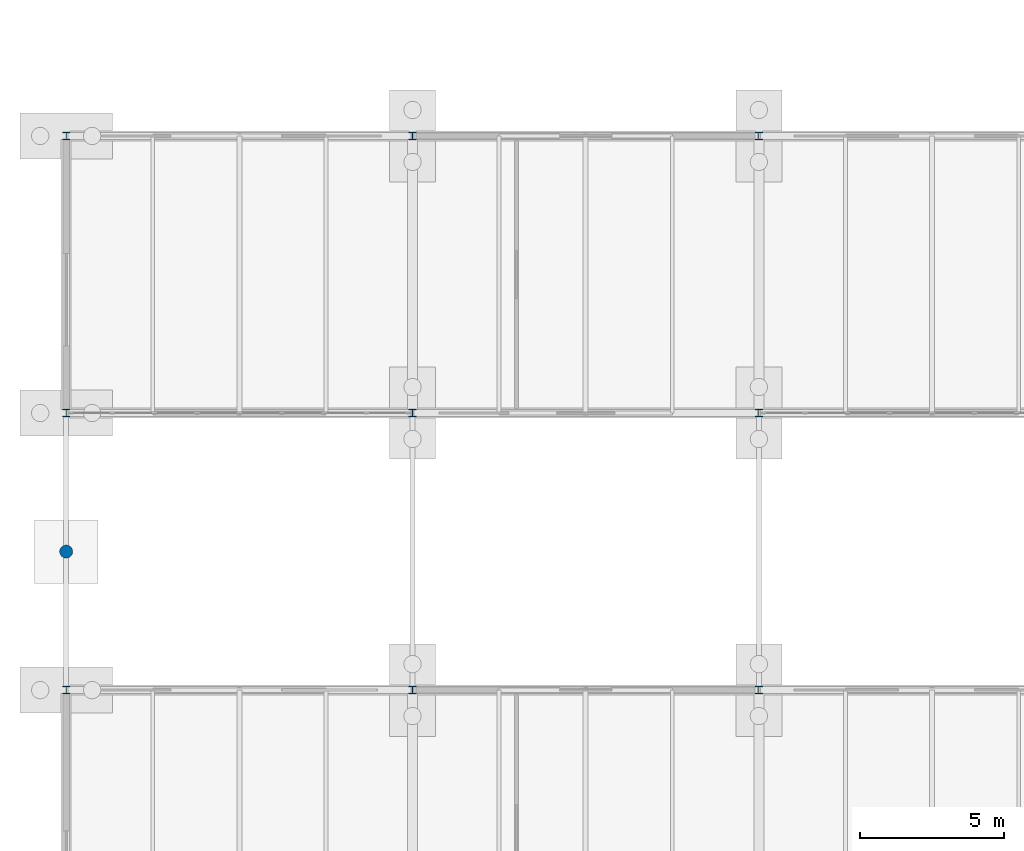
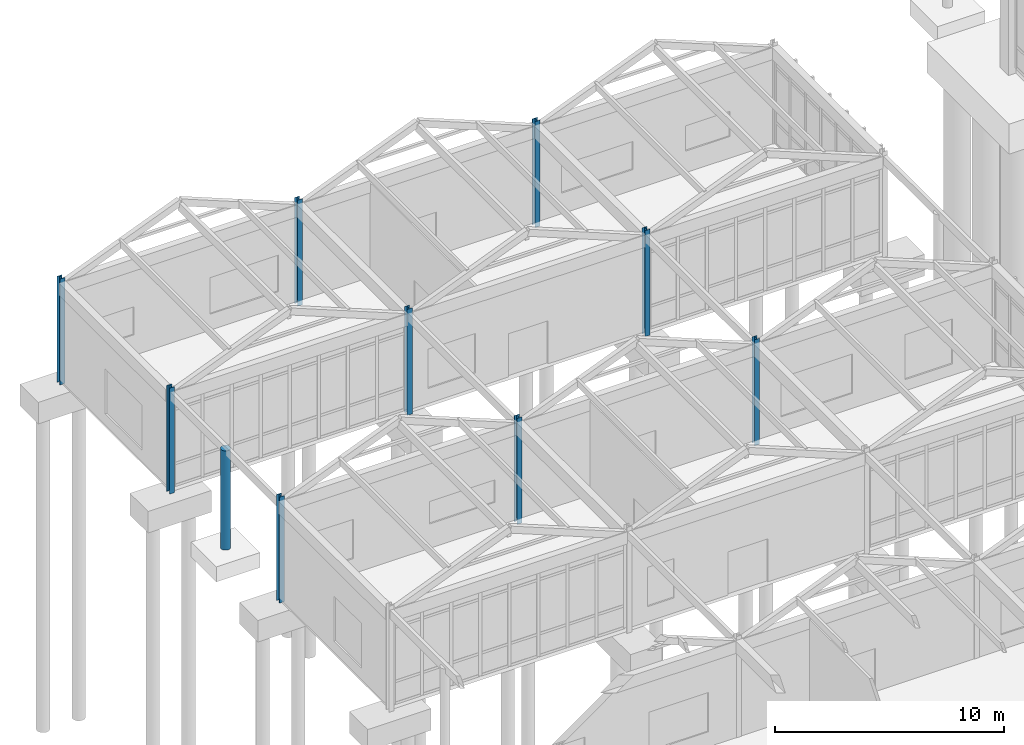
# One storey, part 11 of 188: 10 columns.
"""IFC4 building model written with IfcOpenShell, lengths in metres."""

from ifc_helpers import new_model, si_unit, direction, frame, origin, origin_2d, place, context, subcontext, project, spatial, circle, i_section, extrude, material, material_profile, profile_set, type_object, element, save


model = new_model("IFC4")

# Units and contexts
model_context = context("Model", 3, precision=1e-05, world=origin(), true_north=direction((0.0, 1.0)))
body_context = subcontext(model_context, "Body", "Model", "MODEL_VIEW")
ifc_project = project(units=[si_unit("LENGTHUNIT", "METRE"), si_unit("AREAUNIT", "SQUARE_METRE"), si_unit("VOLUMEUNIT", "CUBIC_METRE"), si_unit("PLANEANGLEUNIT", "RADIAN"), si_unit("MASSUNIT", "GRAM", prefix="KILO")], contexts=[model_context])

# Site, building, storey
site_placement = place(None, origin())
site = spatial("IfcSite", under=ifc_project, at=site_placement, CompositionType="ELEMENT")
building_placement = place(site_placement, origin())
building = spatial("IfcBuilding", under=site, at=building_placement, Name="Pandanus Reach Market Hall", CompositionType="ELEMENT")
storey_placement = place(building_placement, origin())
storey = spatial("IfcBuildingStorey", under=building, at=storey_placement, Name="L00", CompositionType="ELEMENT", Elevation=0.0)

# Columns
ifc_material_1 = material(Name="Steel Grade 350 (350 MPa)", Category="steel")
ifc_material_profile_1 = material_profile(ifc_material_1, i_section(OverallWidth=0.25390625, OverallDepth=0.25390625, WebThickness=0.008544921875, FlangeThickness=0.01416015625, at=origin_2d()), Name="250UC72.9", Category="LoadBearing")
ifc_profile_set_1 = profile_set([ifc_material_profile_1], Name="Steel Grade 350 (350 MPa)")
column_type_1 = type_object("IfcColumnType", Name="CL-UC250-E", PredefinedType="COLUMN", material=ifc_profile_set_1)
for number, where, z_axis, x_axis, name in (
    (1, (0.0, 67.199951171875, -0.2548828125), (0.0, 0.0, 1.0), (1.0, 0.0, 0.0), "Column CL-UC250-E V2-0-672 L00"),
    (2, (12.0, 67.199951171875, -0.2548828125), (0.0, 0.0, 1.0), (1.0, 0.0, 0.0), "Column CL-UC250-E V2-12-672 L00"),
    (3, (24.0, 67.199951171875, -0.2548828125), (0.0, 0.0, 1.0), (1.0, 0.0, 0.0), "Column CL-UC250-E V2-24-672 L00"),
    (4, (0.0, 76.800048828125, -0.2548828125), (0.0, 0.0, 1.0), (1.0, 0.0, 0.0), "Column CL-UC250-E V2-0-768 L00"),
    (5, (12.0, 76.800048828125, -0.2548828125), (0.0, 0.0, 1.0), (1.0, 0.0, 0.0), "Column CL-UC250-E V2-12-768 L00"),
    (6, (24.0, 76.800048828125, -0.2548828125), (0.0, 0.0, 1.0), (1.0, 0.0, 0.0), "Column CL-UC250-E V2-24-768 L00"),
    (7, (0.0, 86.39990234375, -0.2548828125), (0.0, 0.0, 1.0), (1.0, 0.0, 0.0), "Column CL-UC250-E V2-0-864 L00"),
    (8, (12.0, 86.39990234375, -0.2548828125), (0.0, 0.0, 1.0), (1.0, 0.0, 0.0), "Column CL-UC250-E V2-12-864 L00"),
    (9, (24.0, 86.39990234375, -0.2548828125), (0.0, 0.0, 1.0), (1.0, 0.0, 0.0), "Column CL-UC250-E V2-24-864 L00"),
):
    element("IfcColumn", number, at=place(storey_placement, frame(where, z_axis=z_axis, x_axis=x_axis)), inside=storey, type_object=column_type_1, Name=name, PredefinedType="COLUMN", context=body_context, shape_type="SweptSolid", body=[
        extrude(i_section(OverallWidth=0.25390625, OverallDepth=0.25390625, WebThickness=0.008544921875, FlangeThickness=0.01416015625, at=origin_2d()), origin(), (0.0, 0.0, 1.0), 5.65478515625),
    ])
ifc_material_2 = material(Name="Precast concrete S50 (50 MPa)", Category="concrete")
ifc_material_profile_2 = material_profile(ifc_material_2, circle(Radius=0.22509765625, at=origin_2d()), Name="RC450D", Category="LoadBearing")
ifc_profile_set_2 = profile_set([ifc_material_profile_2], Name="Precast concrete S50 (50 MPa)")
column_type_2 = type_object("IfcColumnType", Name="PL-RC450-E", PredefinedType="PILASTER", material=ifc_profile_set_2)
column_placement = place(storey_placement, frame((0.0, 72.0, -0.300048828125), z_axis=(0.0, 0.0, 1.0), x_axis=(1.0, 0.0, 0.0)))
element("IfcColumn", 10, at=column_placement, inside=storey, type_object=column_type_2, Name="Arcade pilaster P25", PredefinedType="PILASTER", context=body_context, shape_type="SweptSolid", body=[
    extrude(circle(Radius=0.22509765625, at=origin_2d()), origin(), (0.0, 0.0, 1.0), 5.300048828125),
])

save(model, "model.ifc")
